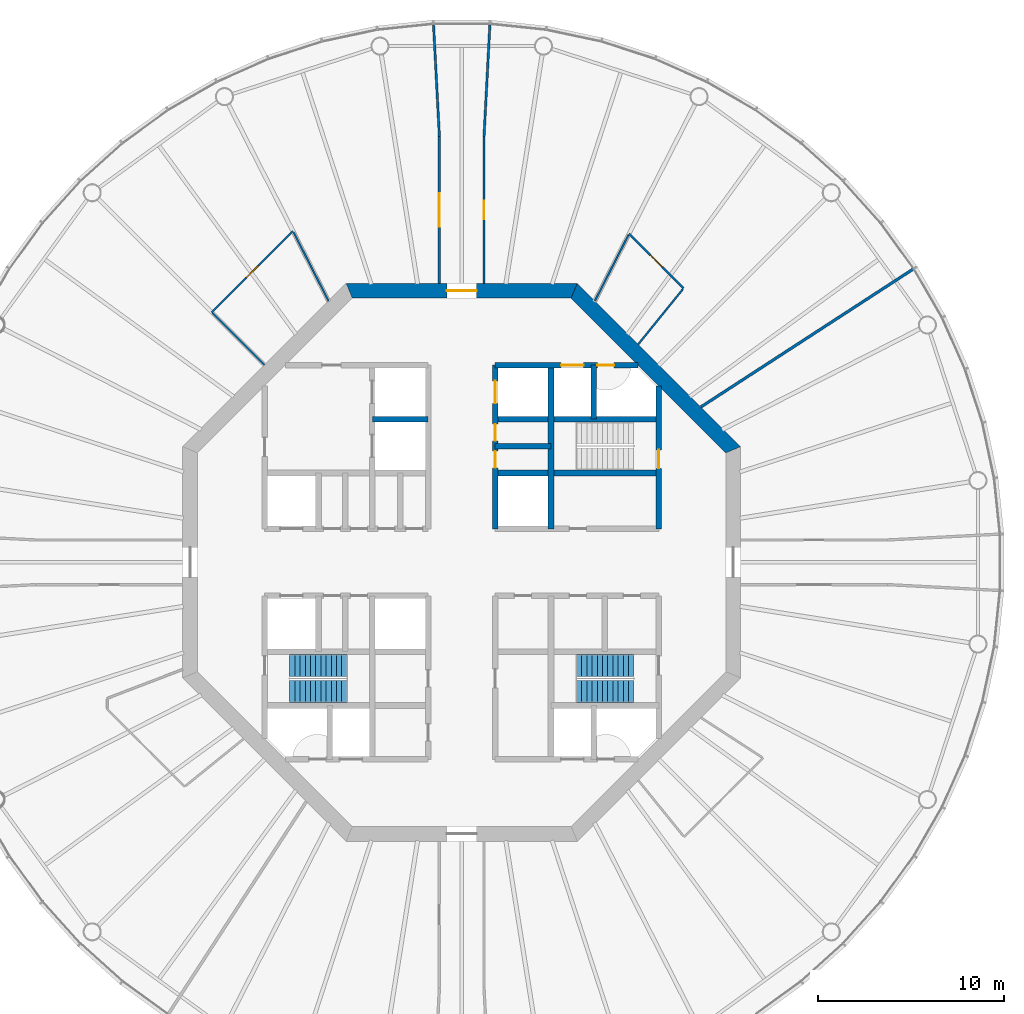
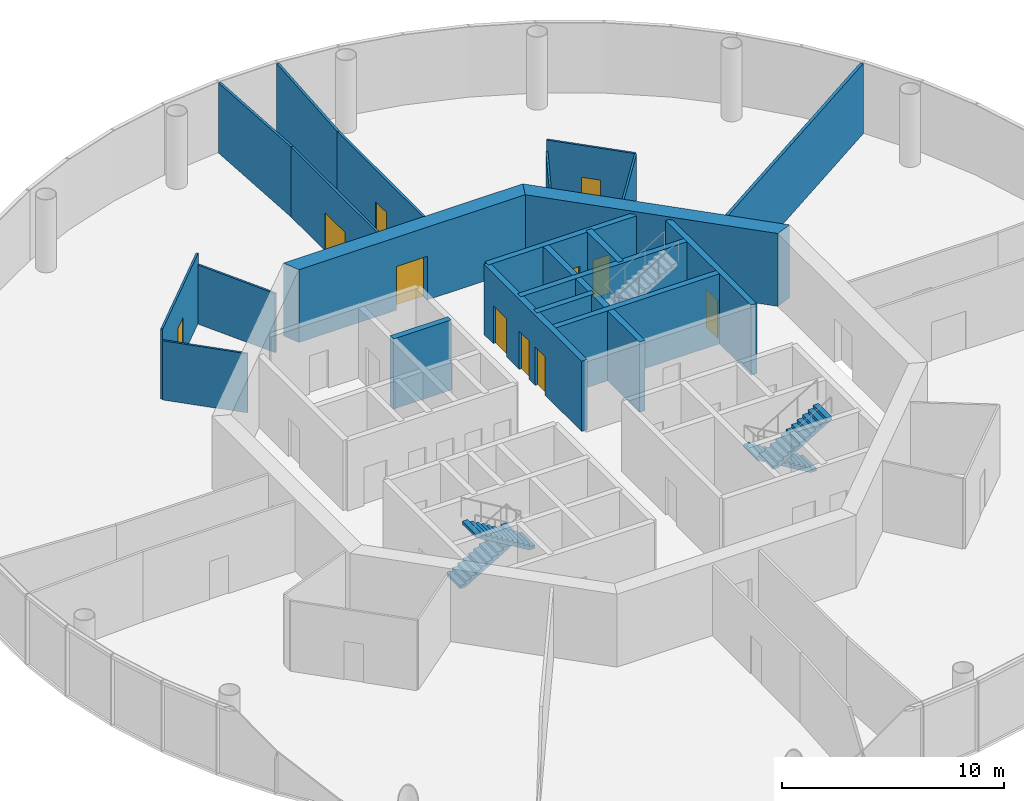
# One storey, part 5 of 13: 22 walls, 11 doors, 4 stair flights, 11 openings, 2 elements without a shape of their own.
"""IFC4 building model written with IfcOpenShell, lengths in metres."""

from ifc_helpers import new_model, si_unit, direction, frame, frame_2d, origin, place, context, subcontext, project, spatial, polyline, rectangle, outline, extrude, material, layer, layer_set, type_object, element, fill, aggregate, save


model = new_model("IFC4")

# Units and contexts
model_context = context("Model", 3, precision=1e-05, world=origin(), true_north=direction((0.0, 1.0)))
body_context = subcontext(model_context, "Body", "Model", "MODEL_VIEW")
ifc_project = project(units=[si_unit("LENGTHUNIT", "METRE"), si_unit("AREAUNIT", "SQUARE_METRE"), si_unit("VOLUMEUNIT", "CUBIC_METRE"), si_unit("PLANEANGLEUNIT", "RADIAN"), si_unit("MASSUNIT", "GRAM", prefix="KILO")], contexts=[model_context])

# Site, building, storey
site_placement = place(None, origin())
site = spatial("IfcSite", under=ifc_project, at=site_placement, CompositionType="ELEMENT")
building_placement = place(site_placement, origin())
building = spatial("IfcBuilding", under=site, at=building_placement, Name="Entoto Ring Tower", CompositionType="ELEMENT")
storey_placement = place(building_placement, frame((0.0, 0.0, 302.0)))
storey = spatial("IfcBuildingStorey", under=building, at=storey_placement, Name="L69", CompositionType="ELEMENT", Elevation=302.0)

# Wall, opening, door
ifc_material_1 = material(Name="Concrete C40/50", Category="concrete")
ifc_layer_1 = layer(ifc_material_1, 0.300048828125)
ifc_layer_set_1 = layer_set([ifc_layer_1], Name="Concrete C40/50")
wall_type_1 = type_object("IfcWallType", Name="Core enclosure wall 300 mm reinforced concrete", PredefinedType="SOLIDWALL", material=ifc_layer_set_1)
wall_1_placement = place(storey_placement, frame((100.60009765625, 81.800048828125, 0.0), z_axis=(0.0, 0.0, 1.0), x_axis=(0.0, 1.0, 0.0)))
wall_1 = element("IfcWall", 1, at=wall_1_placement, inside=storey, type_object=wall_type_1, Name="wall-L69-002", PredefinedType="SOLIDWALL", context=body_context, shape_type="SweptSolid", body=[
    extrude(rectangle(XDim=7.681640625, YDim=0.300048828125, at=frame_2d((3.8408203125, 0.0))), origin(), (0.0, 0.0, 1.0), 3.85009765625),
])
opening_1_placement = place(wall_1_placement, frame((3.25, 0.0, 0.0)))
opening_1 = element("IfcOpeningElement", 2, at=opening_1_placement, cuts=wall_1, Name="Opening K-26", PredefinedType="OPENING", context=body_context, shape_type="SweptSolid", body=[
    extrude(rectangle(XDim=1.0, YDim=2.10009765625, at=frame_2d((0.5, 1.050048828125))), frame((0.0, 0.16015625, 0.0), z_axis=(0.0, -1.0, 0.0), x_axis=(1.0, 0.0, 0.0)), (0.0, 0.0, 1.0), 0.320068359375),
])
ifc_material_2 = material(Name="Steel door leaf, fire rated", Category="steel")
ifc_layer_2 = layer(ifc_material_2, 0.050048828125)
ifc_layer_set_2 = layer_set([ifc_layer_2], Name="Steel door leaf, fire rated")
door_type_1 = type_object("IfcDoorType", Name="Fire door FD60 1000 x 2100 single leaf", OperationType="NOTDEFINED", PredefinedType="DOOR", material=ifc_layer_set_2)
door_1_placement = place(opening_1_placement, origin())
door_1 = element("IfcDoor", 3, at=door_1_placement, inside=storey, type_object=door_type_1, Name="Door K-26", OperationType="SINGLE_SWING_LEFT", OverallHeight=2.10009765625, OverallWidth=1.0, PredefinedType="DOOR", context=body_context, shape_type="SweptSolid", body=[
    extrude(rectangle(XDim=1.0, YDim=2.10009765625, at=frame_2d((0.5, 1.050048828125))), frame((0.0, 0.02490234375, 0.0), z_axis=(0.0, -1.0, 0.0), x_axis=(1.0, 0.0, 0.0)), (0.0, 0.0, 1.0), 0.050048828125),
])
fill(opening_1, door_1)

# Walls
wall_2_placement = place(storey_placement, frame((97.10009765625, 87.699951171875, 0.0), z_axis=(0.0, 0.0, 1.0), x_axis=(0.0, 1.0, 0.0)))
element("IfcWall", 4, at=wall_2_placement, inside=storey, type_object=wall_type_1, Name="wall-L69-005", PredefinedType="SOLIDWALL", context=body_context, shape_type="SweptSolid", body=[
    extrude(rectangle(XDim=2.900146484375, YDim=0.300048828125, at=frame_2d((1.4501953125, 0.0))), origin(), (0.0, 0.0, 1.0), 3.85009765625),
])
wall_3_placement = place(storey_placement, frame((94.800048828125, 81.800048828125, 0.0), z_axis=(0.0, 0.0, 1.0), x_axis=(0.0, 1.0, 0.0)))
element("IfcWall", 5, at=wall_3_placement, inside=storey, type_object=wall_type_1, Name="wall-L69-007", PredefinedType="SOLIDWALL", context=body_context, shape_type="SweptSolid", body=[
    extrude(rectangle(XDim=8.800048828125, YDim=0.300048828125, at=frame_2d((4.39990234375, 0.0))), origin(), (0.0, 0.0, 1.0), 3.85009765625),
])

# Wall, openings, doors
wall_4_placement = place(storey_placement, frame((91.800048828125, 81.800048828125, 0.0), z_axis=(0.0, 0.0, 1.0), x_axis=(0.0, 1.0, 0.0)))
wall_4 = element("IfcWall", 6, at=wall_4_placement, inside=storey, type_object=wall_type_1, Name="wall-L69-009", PredefinedType="SOLIDWALL", context=body_context, shape_type="SweptSolid", body=[
    extrude(rectangle(XDim=8.800048828125, YDim=0.300048828125, at=frame_2d((4.39990234375, 0.0))), origin(), (0.0, 0.0, 1.0), 3.85009765625),
])
opening_2_placement = place(wall_4_placement, frame((6.75, 0.0, 0.0)))
opening_2 = element("IfcOpeningElement", 7, at=opening_2_placement, cuts=wall_4, Name="Opening LD", PredefinedType="OPENING", context=body_context, shape_type="SweptSolid", body=[
    extrude(rectangle(XDim=1.199951171875, YDim=2.10009765625, at=frame_2d((0.60009765625, 1.050048828125))), frame((0.0, 0.16015625, 0.0), z_axis=(0.0, -1.0, 0.0), x_axis=(1.0, 0.0, 0.0)), (0.0, 0.0, 1.0), 0.320068359375),
])
opening_3_placement = place(wall_4_placement, frame((3.27490234375, 0.0, 0.0)))
opening_3 = element("IfcOpeningElement", 8, at=opening_3_placement, cuts=wall_4, Name="Opening K-18", PredefinedType="OPENING", context=body_context, shape_type="SweptSolid", body=[
    extrude(rectangle(XDim=0.89990234375, YDim=2.10009765625, at=frame_2d((0.449951171875, 1.050048828125))), frame((0.0, 0.16015625, 0.0), z_axis=(0.0, -1.0, 0.0), x_axis=(1.0, 0.0, 0.0)), (0.0, 0.0, 1.0), 0.320068359375),
])
opening_4_placement = place(wall_4_placement, frame((4.72509765625, 0.0, 0.0)))
opening_4 = element("IfcOpeningElement", 9, at=opening_4_placement, cuts=wall_4, Name="Opening K-19", PredefinedType="OPENING", context=body_context, shape_type="SweptSolid", body=[
    extrude(rectangle(XDim=0.89990234375, YDim=2.10009765625, at=frame_2d((0.449951171875, 1.050048828125))), frame((0.0, 0.16015625, 0.0), z_axis=(0.0, -1.0, 0.0), x_axis=(1.0, 0.0, 0.0)), (0.0, 0.0, 1.0), 0.320068359375),
])
ifc_material_3 = material(Name="Steel door leaf, fire rated", Category="steel")
ifc_layer_3 = layer(ifc_material_3, 0.050048828125)
ifc_layer_set_3 = layer_set([ifc_layer_3], Name="Steel door leaf, fire rated")
door_type_2 = type_object("IfcDoorType", Name="Core door 900 x 2100 single leaf", OperationType="NOTDEFINED", PredefinedType="DOOR", material=ifc_layer_set_3)
door_2_placement = place(opening_3_placement, frame((0.89990234375, 0.0, 0.0), z_axis=(0.0, 0.0, 1.0), x_axis=(-1.0, 0.0, 0.0)))
door_2 = element("IfcDoor", 10, at=door_2_placement, inside=storey, type_object=door_type_2, Name="Door K-18", OperationType="SINGLE_SWING_LEFT", OverallHeight=2.10009765625, OverallWidth=0.89990234375, PredefinedType="DOOR", context=body_context, shape_type="SweptSolid", body=[
    extrude(rectangle(XDim=0.89990234375, YDim=2.10009765625, at=frame_2d((0.449951171875, 1.050048828125))), frame((0.0, 0.02490234375, 0.0), z_axis=(0.0, -1.0, 0.0), x_axis=(1.0, 0.0, 0.0)), (0.0, 0.0, 1.0), 0.050048828125),
])
fill(opening_3, door_2)
door_3_placement = place(opening_4_placement, frame((0.89990234375, 0.0, 0.0), z_axis=(0.0, 0.0, 1.0), x_axis=(-1.0, 0.0, 0.0)))
door_3 = element("IfcDoor", 11, at=door_3_placement, inside=storey, type_object=door_type_2, Name="Door K-19", OperationType="SINGLE_SWING_RIGHT", OverallHeight=2.10009765625, OverallWidth=0.89990234375, PredefinedType="DOOR", context=body_context, shape_type="SweptSolid", body=[
    extrude(rectangle(XDim=0.89990234375, YDim=2.10009765625, at=frame_2d((0.449951171875, 1.050048828125))), frame((0.0, 0.02490234375, 0.0), z_axis=(0.0, -1.0, 0.0), x_axis=(1.0, 0.0, 0.0)), (0.0, 0.0, 1.0), 0.050048828125),
])
fill(opening_4, door_3)
ifc_material_4 = material(Name="Steel and glass door leaf", Category="steel")
ifc_layer_4 = layer(ifc_material_4, 0.050048828125)
ifc_layer_set_4 = layer_set([ifc_layer_4], Name="Steel and glass door leaf")
door_type_3 = type_object("IfcDoorType", Name="Landing door 1200 x 2100 sliding", OperationType="DOUBLE_DOOR_SLIDING", PredefinedType="DOOR", material=ifc_layer_set_4)
door_4_placement = place(opening_2_placement, origin())
door_4 = element("IfcDoor", 12, at=door_4_placement, inside=storey, type_object=door_type_3, Name="Landing door SH3", OperationType="SLIDING_TO_RIGHT", OverallHeight=2.10009765625, OverallWidth=1.199951171875, PredefinedType="DOOR", context=body_context, shape_type="SweptSolid", body=[
    extrude(rectangle(XDim=1.199951171875, YDim=2.10009765625, at=frame_2d((0.60009765625, 1.050048828125))), frame((0.0, 0.02490234375, 0.0), z_axis=(0.0, -1.0, 0.0), x_axis=(1.0, 0.0, 0.0)), (0.0, 0.0, 1.0), 0.050048828125),
])
fill(opening_2, door_4)

# Walls
wall_5_placement = place(storey_placement, frame((91.800048828125, 84.800048828125, 0.0), z_axis=(0.0, 0.0, 1.0), x_axis=(1.0, 0.0, 0.0)))
element("IfcWall", 13, at=wall_5_placement, inside=storey, type_object=wall_type_1, Name="wall-L69-033", PredefinedType="SOLIDWALL", context=body_context, shape_type="SweptSolid", body=[
    extrude(rectangle(XDim=8.800048828125, YDim=0.300048828125, at=frame_2d((4.39990234375, 0.0))), origin(), (0.0, 0.0, 1.0), 3.85009765625),
])
for number, where, z_axis, x_axis, name in (
    (14, (91.800048828125, 86.25, 0.0), (0.0, 0.0, 1.0), (1.0, 0.0, 0.0), "wall-L69-034"),
    (15, (85.199951171875, 87.699951171875, 0.0), (0.0, 0.0, 1.0), (1.0, 0.0, 0.0), "wall-L69-035"),
):
    element("IfcWall", number, at=place(storey_placement, frame(where, z_axis=z_axis, x_axis=x_axis)), inside=storey, type_object=wall_type_1, Name=name, PredefinedType="SOLIDWALL", context=body_context, shape_type="SweptSolid", body=[
        extrude(rectangle(XDim=3.0, YDim=0.300048828125, at=frame_2d((1.5, 0.0))), origin(), (0.0, 0.0, 1.0), 3.85009765625),
    ])
wall_6_placement = place(storey_placement, frame((91.800048828125, 87.699951171875, 0.0), z_axis=(0.0, 0.0, 1.0), x_axis=(1.0, 0.0, 0.0)))
element("IfcWall", 16, at=wall_6_placement, inside=storey, type_object=wall_type_1, Name="wall-L69-036", PredefinedType="SOLIDWALL", context=body_context, shape_type="SweptSolid", body=[
    extrude(rectangle(XDim=8.800048828125, YDim=0.300048828125, at=frame_2d((4.39990234375, 0.0))), origin(), (0.0, 0.0, 1.0), 3.85009765625),
])

# Wall, openings, doors
wall_7_placement = place(storey_placement, frame((91.800048828125, 90.60009765625, 0.0), z_axis=(0.0, 0.0, 1.0), x_axis=(1.0, 0.0, 0.0)))
wall_7 = element("IfcWall", 17, at=wall_7_placement, inside=storey, type_object=wall_type_1, Name="wall-L69-038", PredefinedType="SOLIDWALL", context=body_context, shape_type="SweptSolid", body=[
    extrude(rectangle(XDim=7.681640625, YDim=0.300048828125, at=frame_2d((3.8408203125, 0.0))), origin(), (0.0, 0.0, 1.0), 3.85009765625),
])
opening_5_placement = place(wall_7_placement, frame((3.550048828125, 0.0, 0.0)))
opening_5 = element("IfcOpeningElement", 18, at=opening_5_placement, cuts=wall_7, Name="Opening LD", PredefinedType="OPENING", context=body_context, shape_type="SweptSolid", body=[
    extrude(rectangle(XDim=1.199951171875, YDim=2.10009765625, at=frame_2d((0.60009765625, 1.050048828125))), frame((0.0, 0.16015625, 0.0), z_axis=(0.0, -1.0, 0.0), x_axis=(1.0, 0.0, 0.0)), (0.0, 0.0, 1.0), 0.320068359375),
])
opening_6_placement = place(wall_7_placement, frame((5.5, 0.0, 0.0)))
opening_6 = element("IfcOpeningElement", 19, at=opening_6_placement, cuts=wall_7, Name="Opening K-83", PredefinedType="OPENING", context=body_context, shape_type="SweptSolid", body=[
    extrude(rectangle(XDim=0.89990234375, YDim=2.10009765625, at=frame_2d((0.449951171875, 1.050048828125))), frame((0.0, 0.16015625, 0.0), z_axis=(0.0, -1.0, 0.0), x_axis=(1.0, 0.0, 0.0)), (0.0, 0.0, 1.0), 0.320068359375),
])
door_5_placement = place(opening_5_placement, origin())
door_5 = element("IfcDoor", 20, at=door_5_placement, inside=storey, type_object=door_type_3, Name="Landing door LB1-HR", OperationType="SLIDING_TO_RIGHT", OverallHeight=2.10009765625, OverallWidth=1.199951171875, PredefinedType="DOOR", context=body_context, shape_type="SweptSolid", body=[
    extrude(rectangle(XDim=1.199951171875, YDim=2.10009765625, at=frame_2d((0.60009765625, 1.050048828125))), frame((0.0, 0.02490234375, 0.0), z_axis=(0.0, -1.0, 0.0), x_axis=(1.0, 0.0, 0.0)), (0.0, 0.0, 1.0), 0.050048828125),
])
fill(opening_5, door_5)
ifc_material_5 = material(Name="Steel door leaf, fire rated", Category="steel")
ifc_layer_5 = layer(ifc_material_5, 0.050048828125)
ifc_layer_set_5 = layer_set([ifc_layer_5], Name="Steel door leaf, fire rated")
door_type_4 = type_object("IfcDoorType", Name="Riser door FD60 900 x 2100 single leaf", OperationType="NOTDEFINED", PredefinedType="DOOR", material=ifc_layer_set_5)
door_6_placement = place(opening_6_placement, frame((0.89990234375, 0.0, 0.0), z_axis=(0.0, 0.0, 1.0), x_axis=(-1.0, 0.0, 0.0)))
door_6 = element("IfcDoor", 21, at=door_6_placement, inside=storey, type_object=door_type_4, Name="Door K-83", OperationType="SINGLE_SWING_RIGHT", OverallHeight=2.10009765625, OverallWidth=0.89990234375, PredefinedType="DOOR", context=body_context, shape_type="SweptSolid", body=[
    extrude(rectangle(XDim=0.89990234375, YDim=2.10009765625, at=frame_2d((0.449951171875, 1.050048828125))), frame((0.0, 0.02490234375, 0.0), z_axis=(0.0, -1.0, 0.0), x_axis=(1.0, 0.0, 0.0)), (0.0, 0.0, 1.0), 0.050048828125),
])
fill(opening_6, door_6)

# Wall
ifc_material_6 = material(Name="Concrete C40/50", Category="concrete")
ifc_layer_6 = layer(ifc_material_6, 0.800048828125)
ifc_layer_set_6 = layer_set([ifc_layer_6], Name="Concrete C40/50")
wall_type_2 = type_object("IfcWallType", Name="Core shear wall 800 mm reinforced concrete C40/50", PredefinedType="SHEAR", material=ifc_layer_set_6)
wall_8_placement = place(storey_placement, frame((104.60009765625, 86.047607421875, 0.0), z_axis=(0.0, 0.0, 1.0), x_axis=(-0.707106781187, 0.707106781187, 0.0)))
element("IfcWall", 22, at=wall_8_placement, inside=storey, type_object=wall_type_2, Name="wall-L69-core-1", PredefinedType="SHEAR", context=body_context, shape_type="SweptSolid", body=[
    extrude(outline(polyline([(-0.165771484375, -0.39990234375), (12.2607421875, -0.39990234375), (11.92919921875, 0.39990234375), (0.165771484375, 0.39990234375), (-0.165771484375, -0.39990234375)])), origin(), (0.0, 0.0, 1.0), 4.0),
])

# Wall, opening, door
wall_9_placement = place(storey_placement, frame((96.047607421875, 94.60009765625, 0.0), z_axis=(0.0, 0.0, 1.0), x_axis=(-1.0, 0.0, 0.0)))
wall_9 = element("IfcWall", 23, at=wall_9_placement, inside=storey, type_object=wall_type_2, Name="wall-L69-core-2", PredefinedType="SHEAR", context=body_context, shape_type="SweptSolid", body=[
    extrude(outline(polyline([(-0.165771484375, -0.39990234375), (12.260986328125, -0.39990234375), (11.929443359375, 0.39990234375), (0.165771484375, 0.39990234375), (-0.165771484375, -0.39990234375)])), origin(), (0.0, 0.0, 1.0), 4.0),
])
opening_7_placement = place(wall_9_placement, frame((5.24755859375, 0.0, 0.0)))
opening_7 = element("IfcOpeningElement", 24, at=opening_7_placement, cuts=wall_9, Name="Opening K-02", PredefinedType="OPENING", context=body_context, shape_type="SweptSolid", body=[
    extrude(rectangle(XDim=1.60009765625, YDim=2.39990234375, at=frame_2d((0.800048828125, 1.199951171875))), frame((0.0, 0.41015625, 0.0), z_axis=(0.0, -1.0, 0.0), x_axis=(1.0, 0.0, 0.0)), (0.0, 0.0, 1.0), 0.820068359375),
])
ifc_material_7 = material(Name="Steel door leaf, fire rated", Category="steel")
ifc_layer_7 = layer(ifc_material_7, 0.050048828125)
ifc_layer_set_7 = layer_set([ifc_layer_7], Name="Steel door leaf, fire rated")
door_type_5 = type_object("IfcDoorType", Name="Entrance door FD60 1600 x 2400 double leaf", OperationType="DOUBLE_DOOR_SINGLE_SWING", PredefinedType="DOOR", material=ifc_layer_set_7)
door_7_placement = place(opening_7_placement, origin())
door_7 = element("IfcDoor", 25, at=door_7_placement, inside=storey, type_object=door_type_5, Name="Entrance door K-02", OperationType="DOUBLE_DOOR_SINGLE_SWING", OverallHeight=2.39990234375, OverallWidth=1.60009765625, PredefinedType="DOOR", context=body_context, shape_type="SweptSolid", body=[
    extrude(rectangle(XDim=1.60009765625, YDim=2.39990234375, at=frame_2d((0.800048828125, 1.199951171875))), frame((0.0, 0.02490234375, 0.0), z_axis=(0.0, -1.0, 0.0), x_axis=(1.0, 0.0, 0.0)), (0.0, 0.0, 1.0), 0.050048828125),
])
fill(opening_7, door_7)

ifc_material_8 = material(Name="Fire-resisting plasterboard on steel studs", Category="steel")
ifc_layer_8 = layer(ifc_material_8, 0.125)
ifc_layer_set_8 = layer_set([ifc_layer_8], Name="Fire-resisting plasterboard on steel studs")
wall_type_3 = type_object("IfcWallType", Name="Corridor wall 125 mm one-hour plasterboard on steel studs", PredefinedType="PARTITIONING", material=ifc_layer_set_8)
wall_10_placement = place(storey_placement, frame((88.800048828125, 95.0, 0.0), z_axis=(0.0, 0.0, 1.0), x_axis=(0.0, 1.0, 0.0)))
wall_10 = element("IfcWall", 26, at=wall_10_placement, inside=storey, type_object=wall_type_3, Name="partition-L69-004", PredefinedType="PARTITIONING", context=body_context, shape_type="SweptSolid", body=[
    extrude(rectangle(XDim=7.8974609375, YDim=0.125, at=frame_2d((3.94873046875, 0.0))), origin(), (0.0, 0.0, 1.0), 3.85009765625),
])
opening_8_placement = place(wall_10_placement, frame((3.048583984375, 0.0, 0.0)))
opening_8 = element("IfcOpeningElement", 27, at=opening_8_placement, cuts=wall_10, Name="Opening A30-D04", PredefinedType="OPENING", context=body_context, shape_type="SweptSolid", body=[
    extrude(rectangle(XDim=1.800048828125, YDim=2.10009765625, at=frame_2d((0.89990234375, 1.050048828125))), frame((0.0, 0.072509765625, 0.0), z_axis=(0.0, -1.0, 0.0), x_axis=(1.0, 0.0, 0.0)), (0.0, 0.0, 1.0), 0.14501953125),
])
ifc_material_9 = material(Name="Fire-resisting timber door set", Category="wood")
door_type_6 = type_object("IfcDoorType", Name="Door 1800 x 2100 double leaf FD30S fire door", OperationType="DOUBLE_DOOR_SINGLE_SWING", PredefinedType="DOOR", material=ifc_material_9)
door_8_placement = place(opening_8_placement, origin())
door_8 = element("IfcDoor", 28, at=door_8_placement, inside=storey, type_object=door_type_6, Name="Door A30-D04", OperationType="DOUBLE_DOOR_SINGLE_SWING", OverallHeight=2.10009765625, OverallWidth=1.800048828125, PredefinedType="DOOR", context=body_context, shape_type="SweptSolid", body=[
    extrude(rectangle(XDim=1.800048828125, YDim=2.10009765625, at=frame_2d((0.89990234375, 1.050048828125))), frame((0.0, 0.02490234375, 0.0), z_axis=(0.0, -1.0, 0.0), x_axis=(1.0, 0.0, 0.0)), (0.0, 0.0, 1.0), 0.050048828125),
])
fill(opening_8, door_8)

wall_11_placement = place(storey_placement, frame((91.199951171875, 95.0, 0.0), z_axis=(0.0, 0.0, 1.0), x_axis=(0.0, 1.0, 0.0)))
wall_11 = element("IfcWall", 29, at=wall_11_placement, inside=storey, type_object=wall_type_3, Name="partition-L69-006", PredefinedType="PARTITIONING", context=body_context, shape_type="SweptSolid", body=[
    extrude(rectangle(XDim=7.8974609375, YDim=0.125, at=frame_2d((3.94873046875, 0.0))), origin(), (0.0, 0.0, 1.0), 3.85009765625),
])
opening_9_placement = place(wall_11_placement, frame((3.44873046875, 0.0, 0.0)))
opening_9 = element("IfcOpeningElement", 30, at=opening_9_placement, cuts=wall_11, Name="Opening A30-D02", PredefinedType="OPENING", context=body_context, shape_type="SweptSolid", body=[
    extrude(rectangle(XDim=1.0, YDim=2.10009765625, at=frame_2d((0.5, 1.050048828125))), frame((0.0, 0.072509765625, 0.0), z_axis=(0.0, -1.0, 0.0), x_axis=(1.0, 0.0, 0.0)), (0.0, 0.0, 1.0), 0.14501953125),
])
ifc_material_10 = material(Name="Fire-resisting timber door set", Category="wood")
door_type_7 = type_object("IfcDoorType", Name="Door 1000 x 2100 single leaf FD30S fire door", OperationType="NOTDEFINED", PredefinedType="DOOR", material=ifc_material_10)
door_9_placement = place(opening_9_placement, frame((1.0, 0.0, 0.0), z_axis=(0.0, 0.0, 1.0), x_axis=(-1.0, 0.0, 0.0)))
door_9 = element("IfcDoor", 31, at=door_9_placement, inside=storey, type_object=door_type_7, Name="Door A30-D02", OperationType="SINGLE_SWING_RIGHT", OverallHeight=2.10009765625, OverallWidth=1.0, PredefinedType="DOOR", context=body_context, shape_type="SweptSolid", body=[
    extrude(rectangle(XDim=1.0, YDim=2.10009765625, at=frame_2d((0.5, 1.050048828125))), frame((0.0, 0.02490234375, 0.0), z_axis=(0.0, -1.0, 0.0), x_axis=(1.0, 0.0, 0.0)), (0.0, 0.0, 1.0), 0.050048828125),
])
fill(opening_9, door_9)

# Walls
for number, where, z_axis, x_axis, name in (
    (32, (88.7998046875, 102.900634765625, 0.0), (0.0, 0.0, 1.0), (-0.052339150565, 0.998629367342, 0.0), "partition-L69-012"),
    (33, (91.2001953125, 102.900634765625, 0.0), (0.0, 0.0, 1.0), (0.052339150565, 0.998629367342, 0.0), "partition-L69-013"),
):
    element("IfcWall", number, at=place(storey_placement, frame(where, z_axis=z_axis, x_axis=x_axis)), inside=storey, type_object=wall_type_3, Name=name, PredefinedType="PARTITIONING", context=body_context, shape_type="SweptSolid", body=[
        extrude(rectangle(XDim=6.008056640625, YDim=0.125, at=frame_2d((3.00390625, 0.0))), origin(), (0.0, 0.0, 1.0), 3.85009765625),
    ])

# Wall, opening, door
ifc_material_11 = material(Name="Plasterboard on steel studs", Category="steel")
ifc_layer_9 = layer(ifc_material_11, 0.10009765625)
ifc_layer_set_9 = layer_set([ifc_layer_9], Name="Plasterboard on steel studs")
wall_type_4 = type_object("IfcWallType", Name="Partition 100 mm plasterboard on steel studs", PredefinedType="PARTITIONING", material=ifc_layer_set_9)
wall_12_placement = place(storey_placement, frame((76.557861328125, 93.442138671875, 0.0), z_axis=(0.0, 0.0, 1.0), x_axis=(0.707106781187, 0.707106781187, 0.0)))
wall_12 = element("IfcWall", 34, at=wall_12_placement, inside=storey, type_object=wall_type_4, Name="partition-L69-019", PredefinedType="PARTITIONING", context=body_context, shape_type="SweptSolid", body=[
    extrude(rectangle(XDim=6.1767578125, YDim=0.10009765625, at=frame_2d((3.08837890625, 0.0))), origin(), (0.0, 0.0, 1.0), 3.85009765625),
])
opening_10_placement = place(wall_12_placement, frame((2.638427734375, 0.0, 0.0)))
opening_10 = element("IfcOpeningElement", 35, at=opening_10_placement, cuts=wall_12, Name="Opening A30-D05", PredefinedType="OPENING", context=body_context, shape_type="SweptSolid", body=[
    extrude(rectangle(XDim=0.89990234375, YDim=2.10009765625, at=frame_2d((0.449951171875, 1.050048828125))), frame((0.0, 0.06005859375, 0.0), z_axis=(0.0, -1.0, 0.0), x_axis=(1.0, 0.0, 0.0)), (0.0, 0.0, 1.0), 0.1201171875),
])
ifc_material_12 = material(Name="Veneered timber door leaf in timber frame", Category="wood")
door_type_8 = type_object("IfcDoorType", Name="Door 900 x 2100 single leaf timber veneer", OperationType="NOTDEFINED", PredefinedType="DOOR", material=ifc_material_12)
door_10_placement = place(opening_10_placement, frame((0.89990234375, 0.0, 0.0), z_axis=(0.0, 0.0, 1.0), x_axis=(-1.0, 0.0, 0.0)))
door_10 = element("IfcDoor", 36, at=door_10_placement, inside=storey, type_object=door_type_8, Name="Door A30-D05", OperationType="SINGLE_SWING_LEFT", OverallHeight=2.10009765625, OverallWidth=0.89990234375, PredefinedType="DOOR", context=body_context, shape_type="SweptSolid", body=[
    extrude(rectangle(XDim=0.89990234375, YDim=2.10009765625, at=frame_2d((0.449951171875, 1.050048828125))), frame((0.0, 0.02490234375, 0.0), z_axis=(0.0, -1.0, 0.0), x_axis=(1.0, 0.0, 0.0)), (0.0, 0.0, 1.0), 0.050048828125),
])
fill(opening_10, door_10)

wall_13_placement = place(storey_placement, frame((101.927978515625, 94.72998046875, 0.0), z_axis=(0.0, 0.0, 1.0), x_axis=(-0.707106781187, 0.707106781187, 0.0)))
wall_13 = element("IfcWall", 37, at=wall_13_placement, inside=storey, type_object=wall_type_4, Name="partition-L69-024", PredefinedType="PARTITIONING", context=body_context, shape_type="SweptSolid", body=[
    extrude(rectangle(XDim=4.1435546875, YDim=0.10009765625, at=frame_2d((2.07177734375, 0.0))), origin(), (0.0, 0.0, 1.0), 3.85009765625),
])
opening_11_placement = place(wall_13_placement, frame((1.621826171875, 0.0, 0.0)))
opening_11 = element("IfcOpeningElement", 38, at=opening_11_placement, cuts=wall_13, Name="Opening A30-D03", PredefinedType="OPENING", context=body_context, shape_type="SweptSolid", body=[
    extrude(rectangle(XDim=0.89990234375, YDim=2.10009765625, at=frame_2d((0.449951171875, 1.050048828125))), frame((0.0, 0.06005859375, 0.0), z_axis=(0.0, -1.0, 0.0), x_axis=(1.0, 0.0, 0.0)), (0.0, 0.0, 1.0), 0.1201171875),
])
door_11_placement = place(opening_11_placement, origin())
door_11 = element("IfcDoor", 39, at=door_11_placement, inside=storey, type_object=door_type_8, Name="Door A30-D03", OperationType="SINGLE_SWING_RIGHT", OverallHeight=2.10009765625, OverallWidth=0.89990234375, PredefinedType="DOOR", context=body_context, shape_type="SweptSolid", body=[
    extrude(rectangle(XDim=0.89990234375, YDim=2.10009765625, at=frame_2d((0.449951171875, 1.050048828125))), frame((0.0, 0.02490234375, 0.0), z_axis=(0.0, -1.0, 0.0), x_axis=(1.0, 0.0, 0.0)), (0.0, 0.0, 1.0), 0.050048828125),
])
fill(opening_11, door_11)

# Walls
wall_14_placement = place(storey_placement, frame((99.49169921875, 91.721435546875, 0.0), z_axis=(0.0, 0.0, 1.0), x_axis=(0.629319512753, 0.777146672687, 0.0)))
element("IfcWall", 40, at=wall_14_placement, inside=storey, type_object=wall_type_4, Name="partition-L69-030", PredefinedType="PARTITIONING", context=body_context, shape_type="SweptSolid", body=[
    extrude(rectangle(XDim=3.821533203125, YDim=0.10009765625, at=frame_2d((1.91064453125, 0.0))), origin(), (0.0, 0.0, 1.0), 3.85009765625),
])
ifc_material_13 = material(Name="Plasterboard on steel studs", Category="steel")
ifc_layer_10 = layer(ifc_material_13, 0.10009765625)
ifc_layer_set_10 = layer_set([ifc_layer_10], Name="Plasterboard on steel studs")
wall_type_5 = type_object("IfcWallType", Name="Partition 100 mm plasterboard on steel studs, 3250 mm high", PredefinedType="PARTITIONING", material=ifc_layer_set_10)
wall_15_placement = place(storey_placement, frame((82.839599609375, 94.052978515625, 0.0), z_axis=(0.0, 0.0, 1.0), x_axis=(-0.453958407488, 0.891022875279, 0.0)))
element("IfcWall", 41, at=wall_15_placement, inside=storey, type_object=wall_type_5, Name="partition-L69-023", PredefinedType="PARTITIONING", context=body_context, shape_type="SweptSolid", body=[
    extrude(rectangle(XDim=4.1474609375, YDim=0.10009765625, at=frame_2d((2.07373046875, 0.0))), origin(), (0.0, 0.0, 1.0), 3.25),
])
wall_16_placement = place(storey_placement, frame((97.160400390625, 94.052978515625, 0.0), z_axis=(0.0, 0.0, 1.0), x_axis=(0.453949677303, 0.891027323081, 0.0)))
element("IfcWall", 42, at=wall_16_placement, inside=storey, type_object=wall_type_5, Name="partition-L69-026", PredefinedType="PARTITIONING", context=body_context, shape_type="SweptSolid", body=[
    extrude(rectangle(XDim=3.979248046875, YDim=0.10009765625, at=frame_2d((1.98974609375, 0.0))), origin(), (0.0, 0.0, 1.0), 3.25),
])
wall_17_placement = place(storey_placement, frame((79.393310546875, 90.606689453125, 0.0), z_axis=(0.0, 0.0, 1.0), x_axis=(-0.707106781187, 0.707106781187, 0.0)))
element("IfcWall", 43, at=wall_17_placement, inside=storey, type_object=wall_type_5, Name="partition-L69-027", PredefinedType="PARTITIONING", context=body_context, shape_type="SweptSolid", body=[
    extrude(rectangle(XDim=3.9599609375, YDim=0.10009765625, at=frame_2d((1.97998046875, 0.0))), origin(), (0.0, 0.0, 1.0), 3.25),
])
ifc_material_14 = material(Name="Fire-resisting acoustic plasterboard on steel studs", Category="steel")
ifc_layer_11 = layer(ifc_material_14, 0.14990234375)
ifc_layer_set_11 = layer_set([ifc_layer_11], Name="Fire-resisting acoustic plasterboard on steel studs")
wall_type_6 = type_object("IfcWallType", Name="Party wall 150 mm one-hour acoustic plasterboard on steel studs", PredefinedType="PARTITIONING", material=ifc_layer_set_11)
wall_18_placement = place(storey_placement, frame((102.861083984375, 88.35205078125, 0.0), z_axis=(0.0, 0.0, 1.0), x_axis=(0.838662894558, 0.544650850813, 0.0)))
element("IfcWall", 44, at=wall_18_placement, inside=storey, type_object=wall_type_6, Name="partition-L69-018", PredefinedType="PARTITIONING", context=body_context, shape_type="SweptSolid", body=[
    extrude(rectangle(XDim=13.60498046875, YDim=0.14990234375, at=frame_2d((6.802490234375, 0.0))), origin(), (0.0, 0.0, 1.0), 3.85009765625),
])

# Stair, stair flights
ifc_material_15 = material(Name="Concrete C40/50", Category="concrete")
stair_type = type_object("IfcStairType", Name="Exit stair 1200 mm dog-leg reinforced concrete", PredefinedType="HALF_TURN_STAIR", material=ifc_material_15)
stair_1_placement = place(storey_placement, origin())
stair_1 = element("IfcStair", 45, at=stair_1_placement, inside=storey, type_object=stair_type, Name="Exit stair 2", PredefinedType="HALF_TURN_STAIR")
ifc_material_16 = material(Name="Concrete C40/50", Category="concrete")
stair_flight_type = type_object("IfcStairFlightType", Name="Stair flight 1200 mm reinforced concrete", PredefinedType="STRAIGHT", material=ifc_material_16)
stair_flight_1_placement = place(storey_placement, frame((80.75, 74.449951171875, 0.0), z_axis=(0.0, 0.0, 1.0), x_axis=(1.0, 0.0, 0.0)))
stair_flight_1 = element("IfcStairFlight", 46, at=stair_flight_1_placement, type_object=stair_flight_type, Name="ST2 flight 1", NumberOfRisers=12, NumberOfTreads=11, PredefinedType="STRAIGHT", RiserHeight=0.166666667, TreadLength=0.28, context=body_context, shape_type="SweptSolid", body=[
    extrude(outline(polyline([(0.0, 0.0), (0.0, 0.166748046875), (0.280029296875, 0.166748046875), (0.280029296875, 0.333251953125), (0.56005859375, 0.333251953125), (0.56005859375, 0.5), (0.840087890625, 0.5), (0.840087890625, 0.666748046875), (1.1201171875, 0.666748046875), (1.1201171875, 0.833251953125), (1.39990234375, 0.833251953125), (1.39990234375, 1.0), (1.679931640625, 1.0), (1.679931640625, 1.166748046875), (1.9599609375, 1.166748046875), (1.9599609375, 1.333251953125), (2.239990234375, 1.333251953125), (2.239990234375, 1.5), (2.52001953125, 1.5), (2.52001953125, 1.666748046875), (2.800048828125, 1.666748046875), (2.800048828125, 1.833251953125), (3.080078125, 1.833251953125), (3.080078125, 2.0), (3.080078125, 1.658935546875), (0.29296875, 0.0), (0.0, 0.0)])), frame((0.0, 0.60009765625, 0.0), z_axis=(0.0, -1.0, 0.0), x_axis=(1.0, 0.0, 0.0)), (0.0, 0.0, 1.0), 1.199951171875),
])
stair_flight_2_placement = place(storey_placement, frame((83.830078125, 73.050048828125, 2.0), z_axis=(0.0, 0.0, 1.0), x_axis=(-1.0, 0.0, 0.0)))
stair_flight_2 = element("IfcStairFlight", 47, at=stair_flight_2_placement, type_object=stair_flight_type, Name="ST2 flight 2", NumberOfRisers=12, NumberOfTreads=11, PredefinedType="STRAIGHT", RiserHeight=0.166666667, TreadLength=0.28, context=body_context, shape_type="SweptSolid", body=[
    extrude(outline(polyline([(0.0, 0.0), (0.0, 0.166748046875), (0.280029296875, 0.166748046875), (0.280029296875, 0.333251953125), (0.56005859375, 0.333251953125), (0.56005859375, 0.5), (0.840087890625, 0.5), (0.840087890625, 0.666748046875), (1.1201171875, 0.666748046875), (1.1201171875, 0.833251953125), (1.39990234375, 0.833251953125), (1.39990234375, 1.0), (1.679931640625, 1.0), (1.679931640625, 1.166748046875), (1.9599609375, 1.166748046875), (1.9599609375, 1.333251953125), (2.239990234375, 1.333251953125), (2.239990234375, 1.5), (2.52001953125, 1.5), (2.52001953125, 1.666748046875), (2.800048828125, 1.666748046875), (2.800048828125, 1.833251953125), (3.080078125, 1.833251953125), (3.080078125, 2.0), (3.080078125, 1.658935546875), (0.29296875, 0.0), (0.0, 0.0)])), frame((0.0, 0.60009765625, 0.0), z_axis=(0.0, -1.0, 0.0), x_axis=(1.0, 0.0, 0.0)), (0.0, 0.0, 1.0), 1.199951171875),
])
aggregate(stair_1, [stair_flight_1, stair_flight_2])

stair_2_placement = place(storey_placement, origin())
stair_2 = element("IfcStair", 48, at=stair_2_placement, inside=storey, type_object=stair_type, Name="Exit stair 3", PredefinedType="HALF_TURN_STAIR")
stair_flight_3_placement = place(storey_placement, frame((99.25, 74.449951171875, 0.0), z_axis=(0.0, 0.0, 1.0), x_axis=(-1.0, 0.0, 0.0)))
stair_flight_3 = element("IfcStairFlight", 49, at=stair_flight_3_placement, type_object=stair_flight_type, Name="ST3 flight 1", NumberOfRisers=12, NumberOfTreads=11, PredefinedType="STRAIGHT", RiserHeight=0.166666667, TreadLength=0.28, context=body_context, shape_type="SweptSolid", body=[
    extrude(outline(polyline([(0.0, 0.0), (0.0, 0.166748046875), (0.280029296875, 0.166748046875), (0.280029296875, 0.333251953125), (0.56005859375, 0.333251953125), (0.56005859375, 0.5), (0.840087890625, 0.5), (0.840087890625, 0.666748046875), (1.1201171875, 0.666748046875), (1.1201171875, 0.833251953125), (1.39990234375, 0.833251953125), (1.39990234375, 1.0), (1.679931640625, 1.0), (1.679931640625, 1.166748046875), (1.9599609375, 1.166748046875), (1.9599609375, 1.333251953125), (2.239990234375, 1.333251953125), (2.239990234375, 1.5), (2.52001953125, 1.5), (2.52001953125, 1.666748046875), (2.800048828125, 1.666748046875), (2.800048828125, 1.833251953125), (3.080078125, 1.833251953125), (3.080078125, 2.0), (3.080078125, 1.658935546875), (0.29296875, 0.0), (0.0, 0.0)])), frame((0.0, 0.60009765625, 0.0), z_axis=(0.0, -1.0, 0.0), x_axis=(1.0, 0.0, 0.0)), (0.0, 0.0, 1.0), 1.199951171875),
])
stair_flight_4_placement = place(storey_placement, frame((96.169921875, 73.050048828125, 2.0), z_axis=(0.0, 0.0, 1.0), x_axis=(1.0, 0.0, 0.0)))
stair_flight_4 = element("IfcStairFlight", 50, at=stair_flight_4_placement, type_object=stair_flight_type, Name="ST3 flight 2", NumberOfRisers=12, NumberOfTreads=11, PredefinedType="STRAIGHT", RiserHeight=0.166666667, TreadLength=0.28, context=body_context, shape_type="SweptSolid", body=[
    extrude(outline(polyline([(0.0, 0.0), (0.0, 0.166748046875), (0.280029296875, 0.166748046875), (0.280029296875, 0.333251953125), (0.56005859375, 0.333251953125), (0.56005859375, 0.5), (0.840087890625, 0.5), (0.840087890625, 0.666748046875), (1.1201171875, 0.666748046875), (1.1201171875, 0.833251953125), (1.39990234375, 0.833251953125), (1.39990234375, 1.0), (1.679931640625, 1.0), (1.679931640625, 1.166748046875), (1.9599609375, 1.166748046875), (1.9599609375, 1.333251953125), (2.239990234375, 1.333251953125), (2.239990234375, 1.5), (2.52001953125, 1.5), (2.52001953125, 1.666748046875), (2.800048828125, 1.666748046875), (2.800048828125, 1.833251953125), (3.080078125, 1.833251953125), (3.080078125, 2.0), (3.080078125, 1.658935546875), (0.29296875, 0.0), (0.0, 0.0)])), frame((0.0, 0.60009765625, 0.0), z_axis=(0.0, -1.0, 0.0), x_axis=(1.0, 0.0, 0.0)), (0.0, 0.0, 1.0), 1.199951171875),
])
aggregate(stair_2, [stair_flight_3, stair_flight_4])

save(model, "model.ifc")
